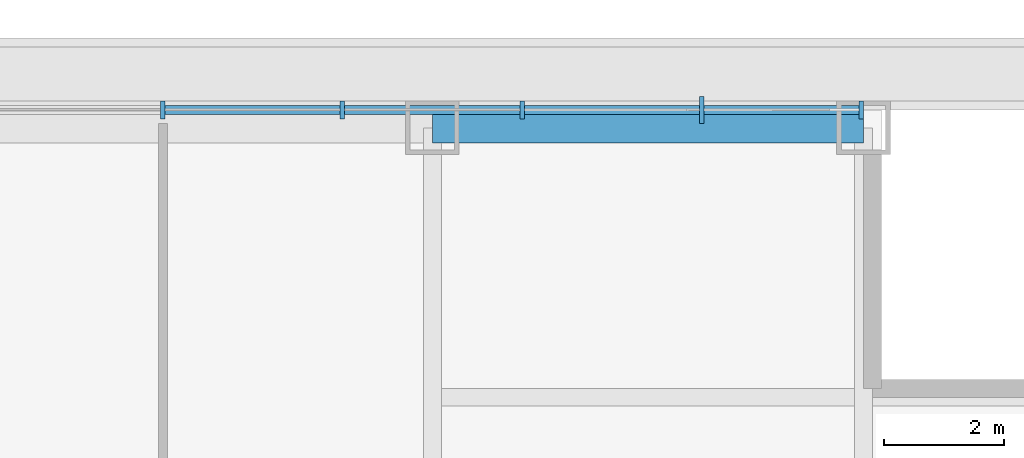
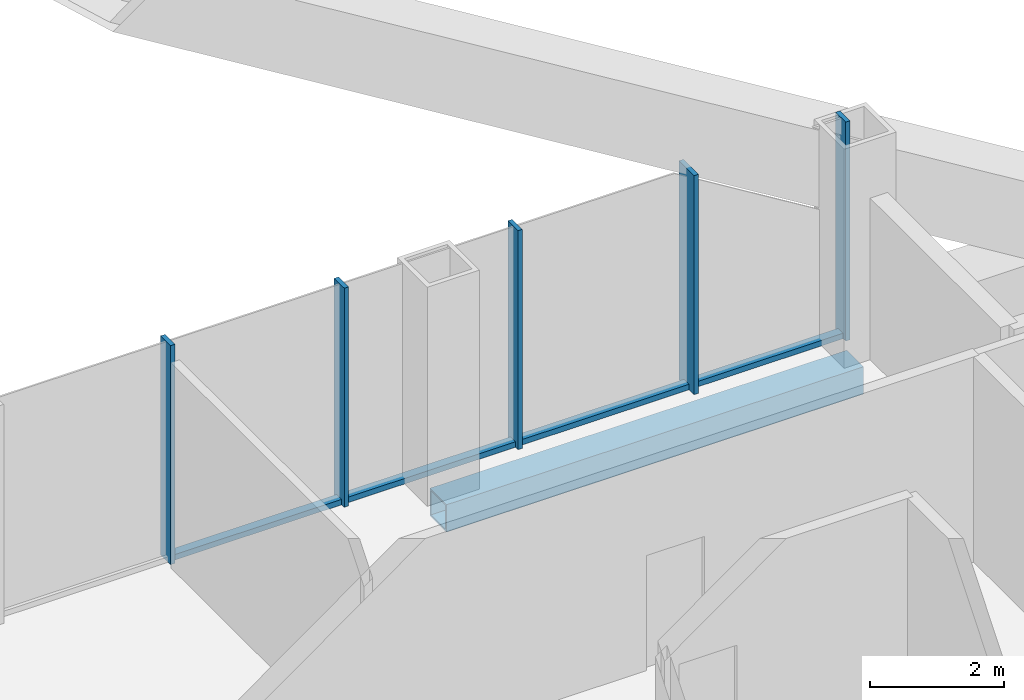
# One storey, part 10 of 21: 9 members, 1 beam, 1 element without a shape of its own.
"""IFC4 building model written with IfcOpenShell, lengths in metres."""

from ifc_helpers import new_model, si_unit, direction, frame, origin, origin_2d, place, context, subcontext, project, spatial, rectangle, hollow_rectangle, extrude, material, layer, layer_set, material_profile, profile_set, type_object, element, aggregate, save


model = new_model("IFC4")

# Units and contexts
model_context = context("Model", 3, precision=1e-05, world=origin(), true_north=direction((0.0, 1.0)))
body_context = subcontext(model_context, "Body", "Model", "MODEL_VIEW")
ifc_project = project(units=[si_unit("LENGTHUNIT", "METRE"), si_unit("AREAUNIT", "SQUARE_METRE"), si_unit("VOLUMEUNIT", "CUBIC_METRE"), si_unit("PLANEANGLEUNIT", "RADIAN"), si_unit("MASSUNIT", "GRAM", prefix="KILO")], contexts=[model_context])

# Site, building, storey
site_placement = place(None, origin())
site = spatial("IfcSite", under=ifc_project, at=site_placement, CompositionType="ELEMENT")
building_placement = place(site_placement, origin())
building = spatial("IfcBuilding", under=site, at=building_placement, Name="Malebo Sky Hospital", CompositionType="ELEMENT")
storey_placement = place(building_placement, frame((0.0, 0.0, 31.0)))
storey = spatial("IfcBuildingStorey", under=building, at=storey_placement, Name="L06", CompositionType="ELEMENT", Elevation=31.0)

# Curtain wall, members
ifc_material_1 = material(Name="Anodised aluminium, natural silver", Category="aluminium")
ifc_layer = layer(ifc_material_1, 0.25)
ifc_layer_set = layer_set([ifc_layer], Name="WARD CURTAIN WALL NORTH AND SOUTH")
curtain_wall_type = type_object("IfcCurtainWallType", Name="WARD CURTAIN WALL NORTH AND SOUTH", PredefinedType="NOTDEFINED", material=ifc_layer_set)
curtain_wall_placement = place(storey_placement, origin())
curtain_wall = element("IfcCurtainWall", 1, at=curtain_wall_placement, inside=storey, type_object=curtain_wall_type, Name="NS curtain wall N", PredefinedType="NOTDEFINED")
ifc_material_profile_1 = material_profile(ifc_material_1, rectangle(XDim=0.14990234375, YDim=0.10009765625, at=origin_2d()), Name="ALUMINIUM TRANSOM 150x100")
ifc_profile_set_1 = profile_set([ifc_material_profile_1], Name="Anodised aluminium, natural silver")
member_type_1 = type_object("IfcMemberType", Name="ALUMINIUM TRANSOM 150x100", PredefinedType="USERDEFINED", material=ifc_profile_set_1)
member_1_placement = place(storey_placement, frame((69.03759765625, 87.5, 0.050048828125), z_axis=(1.0, 0.0, 0.0), x_axis=(0.0, 1.0, 0.0)))
member_1 = element("IfcMember", 2, at=member_1_placement, type_object=member_type_1, Name="Transom 12", ObjectType="TRANSOM", PredefinedType="USERDEFINED", context=body_context, shape_type="SweptSolid", body=[
    extrude(rectangle(XDim=0.14990234375, YDim=0.10009765625, at=origin_2d()), origin(), (0.0, 0.0, 1.0), 2.9248046875),
])
member_2_placement = place(storey_placement, frame((72.03759765625, 87.5, 0.050048828125), z_axis=(1.0, 0.0, 0.0), x_axis=(0.0, 1.0, 0.0)))
member_2 = element("IfcMember", 3, at=member_2_placement, type_object=member_type_1, Name="Transom 13", ObjectType="TRANSOM", PredefinedType="USERDEFINED", context=body_context, shape_type="SweptSolid", body=[
    extrude(rectangle(XDim=0.14990234375, YDim=0.10009765625, at=origin_2d()), origin(), (0.0, 0.0, 1.0), 2.9248046875),
])
member_3_placement = place(storey_placement, frame((75.03759765625, 87.5, 0.050048828125), z_axis=(1.0, 0.0, 0.0), x_axis=(0.0, 1.0, 0.0)))
member_3 = element("IfcMember", 4, at=member_3_placement, type_object=member_type_1, Name="Transom 14", ObjectType="TRANSOM", PredefinedType="USERDEFINED", context=body_context, shape_type="SweptSolid", body=[
    extrude(rectangle(XDim=0.14990234375, YDim=0.10009765625, at=origin_2d()), origin(), (0.0, 0.0, 1.0), 2.9248046875),
])
member_4_placement = place(storey_placement, frame((78.03759765625, 87.5, 0.050048828125), z_axis=(1.0, 0.0, 0.0), x_axis=(0.0, 1.0, 0.0)))
member_4 = element("IfcMember", 5, at=member_4_placement, type_object=member_type_1, Name="Transom 15", ObjectType="TRANSOM", PredefinedType="USERDEFINED", context=body_context, shape_type="SweptSolid", body=[
    extrude(rectangle(XDim=0.14990234375, YDim=0.10009765625, at=origin_2d()), origin(), (0.0, 0.0, 1.0), 2.58740234375),
])
ifc_material_profile_2 = material_profile(ifc_material_1, rectangle(XDim=0.074951171875, YDim=0.300048828125, at=origin_2d()), Name="CW1 ALUMINIUM FIN MULLION 75x300")
ifc_profile_set_2 = profile_set([ifc_material_profile_2], Name="Anodised aluminium, natural silver")
member_type_2 = type_object("IfcMemberType", Name="CW1 ALUMINIUM FIN MULLION 75x300", PredefinedType="MULLION", material=ifc_profile_set_2)
member_5_placement = place(storey_placement, frame((69.0, 87.5, 0.0), z_axis=(0.0, 0.0, 1.0), x_axis=(1.0, 0.0, 0.0)))
member_5 = element("IfcMember", 6, at=member_5_placement, type_object=member_type_2, Name="Fin mullion 12", PredefinedType="MULLION", context=body_context, shape_type="SweptSolid", body=[
    extrude(rectangle(XDim=0.074951171875, YDim=0.300048828125, at=origin_2d()), origin(), (0.0, 0.0, 1.0), 4.0),
])
member_6_placement = place(storey_placement, frame((72.0, 87.5, 0.0), z_axis=(0.0, 0.0, 1.0), x_axis=(1.0, 0.0, 0.0)))
member_6 = element("IfcMember", 7, at=member_6_placement, type_object=member_type_2, Name="Fin mullion 13", PredefinedType="MULLION", context=body_context, shape_type="SweptSolid", body=[
    extrude(rectangle(XDim=0.074951171875, YDim=0.300048828125, at=origin_2d()), origin(), (0.0, 0.0, 1.0), 4.0),
])
member_7_placement = place(storey_placement, frame((75.0, 87.5, 0.0), z_axis=(0.0, 0.0, 1.0), x_axis=(1.0, 0.0, 0.0)))
member_7 = element("IfcMember", 8, at=member_7_placement, type_object=member_type_2, Name="Fin mullion 14", PredefinedType="MULLION", context=body_context, shape_type="SweptSolid", body=[
    extrude(rectangle(XDim=0.074951171875, YDim=0.300048828125, at=origin_2d()), origin(), (0.0, 0.0, 1.0), 4.0),
])
member_8_placement = place(storey_placement, frame((80.66259765625, 87.5, 0.0), z_axis=(0.0, 0.0, 1.0), x_axis=(1.0, 0.0, 0.0)))
member_8 = element("IfcMember", 9, at=member_8_placement, type_object=member_type_2, Name="Fin mullion 16", PredefinedType="MULLION", context=body_context, shape_type="SweptSolid", body=[
    extrude(rectangle(XDim=0.074951171875, YDim=0.300048828125, at=origin_2d()), origin(), (0.0, 0.0, 1.0), 4.0),
])
ifc_material_profile_3 = material_profile(ifc_material_1, rectangle(XDim=0.074951171875, YDim=0.449951171875, at=origin_2d()), Name="CW1 ALUMINIUM FIN MULLION 75x450")
ifc_profile_set_3 = profile_set([ifc_material_profile_3], Name="Anodised aluminium, natural silver")
member_type_3 = type_object("IfcMemberType", Name="CW1 ALUMINIUM FIN MULLION 75x450", PredefinedType="MULLION", material=ifc_profile_set_3)
member_9_placement = place(storey_placement, frame((78.0, 87.5, 0.0), z_axis=(0.0, 0.0, 1.0), x_axis=(1.0, 0.0, 0.0)))
member_9 = element("IfcMember", 10, at=member_9_placement, type_object=member_type_3, Name="Fin mullion 15", PredefinedType="MULLION", context=body_context, shape_type="SweptSolid", body=[
    extrude(rectangle(XDim=0.074951171875, YDim=0.449951171875, at=origin_2d()), origin(), (0.0, 0.0, 1.0), 4.0),
])
aggregate(curtain_wall, [member_5, member_6, member_7, member_9, member_8, member_1, member_2, member_3, member_4])

# Beam
ifc_material_2 = material(Name="Steel S460", Category="steel")
ifc_material_profile_4 = material_profile(ifc_material_2, hollow_rectangle(XDim=0.5, YDim=0.5, WallThickness=0.030029296875, at=origin_2d()), Name="BOX 500x500x30")
ifc_profile_set_4 = profile_set([ifc_material_profile_4], Name="Steel S460")
beam_type = type_object("IfcBeamType", Name="EDGE BEAM BOX 500x500x30", PredefinedType="BEAM", material=ifc_profile_set_4)
beam_placement = place(storey_placement, frame((73.5, 87.199951171875, -0.5), z_axis=(1.0, 0.0, 0.0), x_axis=(0.0, 1.0, 0.0)))
element("IfcBeam", 11, at=beam_placement, inside=storey, type_object=beam_type, Name="Beam 067 L06", PredefinedType="BEAM", context=body_context, shape_type="SweptSolid", body=[
    extrude(hollow_rectangle(XDim=0.5, YDim=0.5, WallThickness=0.030029296875, at=origin_2d()), origin(), (0.0, 0.0, 1.0), 7.199951171875),
])

save(model, "model.ifc")
